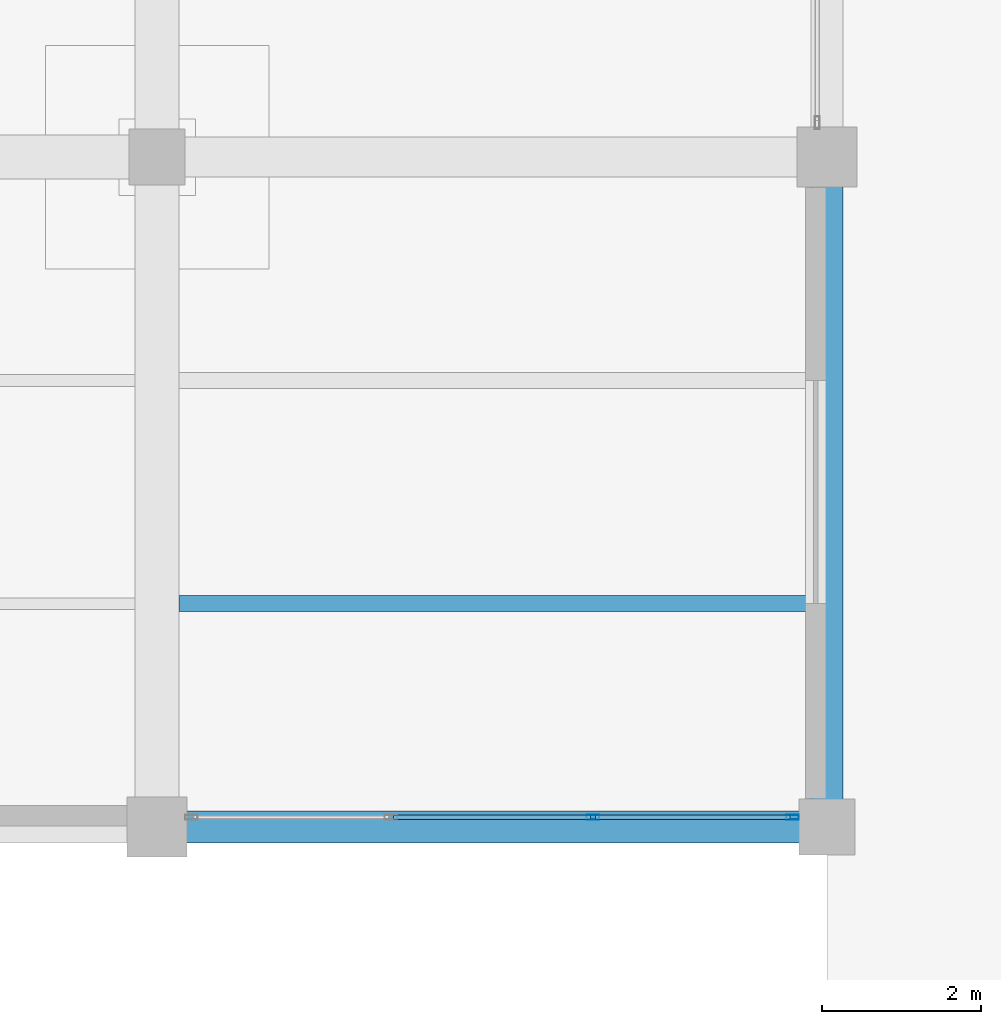
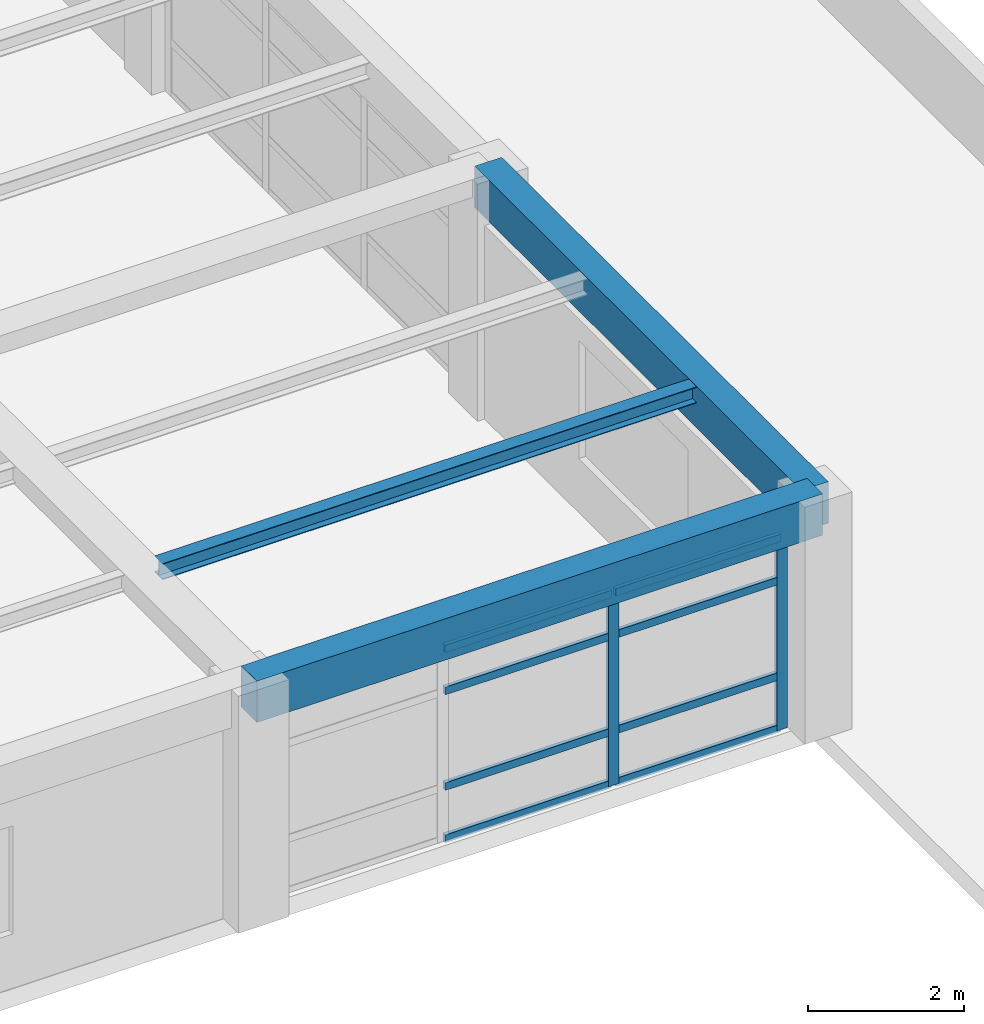
# One storey, part 16 of 35: 10 members, 3 beams, 1 element without a shape of its own.
"""IFC4 building model written with IfcOpenShell, lengths in metres."""

from ifc_helpers import new_model, si_unit, direction, frame, origin, origin_2d, place, context, subcontext, project, spatial, rectangle, hollow_rectangle, i_section, extrude, material, material_profile, profile_set, type_object, element, aggregate, save


model = new_model("IFC4")

# Units and contexts
model_context = context("Model", 3, precision=1e-05, world=origin(), true_north=direction((0.0, 1.0)))
body_context = subcontext(model_context, "Body", "Model", "MODEL_VIEW")
ifc_project = project(units=[si_unit("LENGTHUNIT", "METRE"), si_unit("AREAUNIT", "SQUARE_METRE"), si_unit("VOLUMEUNIT", "CUBIC_METRE"), si_unit("PLANEANGLEUNIT", "RADIAN"), si_unit("MASSUNIT", "GRAM", prefix="KILO")], contexts=[model_context])

# Site, building, storey
site_placement = place(None, origin())
site = spatial("IfcSite", under=ifc_project, at=site_placement, CompositionType="ELEMENT")
building_placement = place(site_placement, origin())
building = spatial("IfcBuilding", under=site, at=building_placement, Name="Almacenes y Pasaje Nevantli", CompositionType="ELEMENT")
storey_placement = place(building_placement, frame((0.0, 0.0, 26.699951171875)))
storey = spatial("IfcBuildingStorey", under=building, at=storey_placement, Name="L06", CompositionType="ELEMENT", Elevation=26.699951171875)

# Beams
ifc_material_1 = material(Name="Concrete C35/45", Category="concrete")
ifc_material_profile_1 = material_profile(ifc_material_1, rectangle(XDim=0.39990234375, YDim=0.64990234375, at=origin_2d()), Name="RC-BM-400x650")
ifc_profile_set_1 = profile_set([ifc_material_profile_1], Name="Concrete C35/45")
beam_type_1 = type_object("IfcBeamType", Name="BM-RC-400x650", PredefinedType="SPANDREL", material=ifc_profile_set_1)
for number, where, z_axis, x_axis, name in (
    (1, (151.199951171875, 67.199951171875, 3.39501953125), (1.0, 0.0, 0.0), (0.0, 1.0, 0.0), "L06 East-West Reinforced Concrete Beam #3578"),
    (2, (159.60009765625, 67.199951171875, 3.39501953125), (0.0, 1.0, 0.0), (-1.0, 0.0, 0.0), "L06 North-South Reinforced Concrete Beam #3625"),
):
    element("IfcBeam", number, at=place(storey_placement, frame(where, z_axis=z_axis, x_axis=x_axis)), inside=storey, type_object=beam_type_1, Name=name, PredefinedType="SPANDREL", context=body_context, shape_type="SweptSolid", body=[
        extrude(rectangle(XDim=0.39990234375, YDim=0.64990234375, at=origin_2d()), origin(), (0.0, 0.0, 1.0), 8.400146484375),
    ])
ifc_material_2 = material(Name="Steel ASTM A992", Category="steel")
ifc_material_profile_2 = material_profile(ifc_material_2, i_section(OverallWidth=0.202880859375, OverallDepth=0.25390625, WebThickness=0.00732421875, FlangeThickness=0.010986328125, at=origin_2d()), Name="IR 254x49.1")
ifc_profile_set_2 = profile_set([ifc_material_profile_2], Name="Steel ASTM A992")
beam_type_2 = type_object("IfcBeamType", Name="BM-STL-IR-254x49p1", PredefinedType="JOIST", material=ifc_profile_set_2)
beam_placement = place(storey_placement, frame((151.47509765625, 70.0, 3.5849609375), z_axis=(1.0, 0.0, 0.0), x_axis=(0.0, 1.0, 0.0)))
element("IfcBeam", 3, at=beam_placement, inside=storey, type_object=beam_type_2, Name="L06 Secondary Steel Floor Joist #1379", PredefinedType="JOIST", context=body_context, shape_type="SweptSolid", body=[
    extrude(i_section(OverallWidth=0.202880859375, OverallDepth=0.25390625, WebThickness=0.00732421875, FlangeThickness=0.010986328125, at=origin_2d()), origin(), (0.0, 0.0, 1.0), 7.9248046875),
])

# Curtain wall, members
ifc_material_3 = material(Name="Thermally Broken Aluminium and Low-E Glass", Category="aluminium")
curtain_wall_type = type_object("IfcCurtainWallType", Name="CW-UNIT-TOWER", PredefinedType="USERDEFINED", material=ifc_material_3)
curtain_wall_placement = place(storey_placement, origin())
curtain_wall = element("IfcCurtainWall", 4, at=curtain_wall_placement, inside=storey, type_object=curtain_wall_type, Name="L06 Tower South Unitized Curtain Wall Bay 19", ObjectType="UNITIZED CURTAIN WALL", PredefinedType="USERDEFINED")
ifc_material_4 = material(Name="Thermally Broken Anodized Aluminium", Category="aluminium")
ifc_material_profile_3 = material_profile(ifc_material_4, hollow_rectangle(XDim=0.06005859375, YDim=0.159912109375, WallThickness=0.00390625, at=origin_2d()), Name="ALU-MUL-60x160")
ifc_profile_set_3 = profile_set([ifc_material_profile_3], Name="Thermally Broken Anodized Aluminium")
member_type_1 = type_object("IfcMemberType", Name="CW-MUL-180", PredefinedType="MULLION", material=ifc_profile_set_3)
member_1_placement = place(storey_placement, frame((156.666748046875, 67.320068359375, 0.0), z_axis=(0.0, 0.0, 1.0), x_axis=(0.0, 1.0, 0.0)))
member_1 = element("IfcMember", 5, at=member_1_placement, type_object=member_type_1, Name="CW-L06-107 mullion 3", PredefinedType="MULLION", context=body_context, shape_type="SweptSolid", body=[
    extrude(hollow_rectangle(XDim=0.06005859375, YDim=0.159912109375, WallThickness=0.00390625, at=origin_2d()), origin(), (0.0, 0.0, 1.0), 3.0400390625),
])
member_2_placement = place(storey_placement, frame((159.169921875, 67.320068359375, 0.0), z_axis=(0.0, 0.0, 1.0), x_axis=(0.0, 1.0, 0.0)))
member_2 = element("IfcMember", 6, at=member_2_placement, type_object=member_type_1, Name="CW-L06-107 mullion 4", PredefinedType="MULLION", context=body_context, shape_type="SweptSolid", body=[
    extrude(hollow_rectangle(XDim=0.06005859375, YDim=0.159912109375, WallThickness=0.00390625, at=origin_2d()), origin(), (0.0, 0.0, 1.0), 3.0400390625),
])
ifc_material_5 = material(Name="Thermally Broken Anodized Aluminium", Category="aluminium")
ifc_material_profile_4 = material_profile(ifc_material_5, hollow_rectangle(XDim=0.06005859375, YDim=0.1201171875, WallThickness=0.00341796875, at=origin_2d()), Name="ALU-TRN-60x120")
ifc_profile_set_4 = profile_set([ifc_material_profile_4], Name="Thermally Broken Anodized Aluminium")
member_type_2 = type_object("IfcMemberType", Name="CW-TRN-130", PredefinedType="USERDEFINED", material=ifc_profile_set_4)
member_3_placement = place(storey_placement, frame((154.163330078125, 67.320068359375, 0.030029296875), z_axis=(1.0, 0.0, 0.0), x_axis=(0.0, 1.0, 0.0)))
member_3 = element("IfcMember", 7, at=member_3_placement, type_object=member_type_2, Name="CW-L06-107 transom 2.1", ObjectType="TRANSOM", PredefinedType="USERDEFINED", context=body_context, shape_type="SweptSolid", body=[
    extrude(hollow_rectangle(XDim=0.06005859375, YDim=0.1201171875, WallThickness=0.00341796875, at=origin_2d()), origin(), (0.0, 0.0, 1.0), 2.473388671875),
])
member_4_placement = place(storey_placement, frame((154.163330078125, 67.320068359375, 0.85009765625), z_axis=(1.0, 0.0, 0.0), x_axis=(0.0, 1.0, 0.0)))
member_4 = element("IfcMember", 8, at=member_4_placement, type_object=member_type_2, Name="CW-L06-107 transom 2.2", ObjectType="TRANSOM", PredefinedType="USERDEFINED", context=body_context, shape_type="SweptSolid", body=[
    extrude(hollow_rectangle(XDim=0.06005859375, YDim=0.1201171875, WallThickness=0.00341796875, at=origin_2d()), origin(), (0.0, 0.0, 1.0), 2.473388671875),
])
member_5_placement = place(storey_placement, frame((154.163330078125, 67.320068359375, 2.35009765625), z_axis=(1.0, 0.0, 0.0), x_axis=(0.0, 1.0, 0.0)))
member_5 = element("IfcMember", 9, at=member_5_placement, type_object=member_type_2, Name="CW-L06-107 transom 2.3", ObjectType="TRANSOM", PredefinedType="USERDEFINED", context=body_context, shape_type="SweptSolid", body=[
    extrude(hollow_rectangle(XDim=0.06005859375, YDim=0.1201171875, WallThickness=0.00341796875, at=origin_2d()), origin(), (0.0, 0.0, 1.0), 2.473388671875),
])
member_6_placement = place(storey_placement, frame((154.163330078125, 67.320068359375, 3.010009765625), z_axis=(1.0, 0.0, 0.0), x_axis=(0.0, 1.0, 0.0)))
member_6 = element("IfcMember", 10, at=member_6_placement, type_object=member_type_2, Name="CW-L06-107 transom 2.4", ObjectType="TRANSOM", PredefinedType="USERDEFINED", context=body_context, shape_type="SweptSolid", body=[
    extrude(hollow_rectangle(XDim=0.06005859375, YDim=0.1201171875, WallThickness=0.00341796875, at=origin_2d()), origin(), (0.0, 0.0, 1.0), 2.473388671875),
])
member_7_placement = place(storey_placement, frame((156.69677734375, 67.320068359375, 0.030029296875), z_axis=(1.0, 0.0, 0.0), x_axis=(0.0, 1.0, 0.0)))
member_7 = element("IfcMember", 11, at=member_7_placement, type_object=member_type_2, Name="CW-L06-107 transom 3.1", ObjectType="TRANSOM", PredefinedType="USERDEFINED", context=body_context, shape_type="SweptSolid", body=[
    extrude(hollow_rectangle(XDim=0.06005859375, YDim=0.1201171875, WallThickness=0.00341796875, at=origin_2d()), origin(), (0.0, 0.0, 1.0), 2.443115234375),
])
member_8_placement = place(storey_placement, frame((156.69677734375, 67.320068359375, 0.85009765625), z_axis=(1.0, 0.0, 0.0), x_axis=(0.0, 1.0, 0.0)))
member_8 = element("IfcMember", 12, at=member_8_placement, type_object=member_type_2, Name="CW-L06-107 transom 3.2", ObjectType="TRANSOM", PredefinedType="USERDEFINED", context=body_context, shape_type="SweptSolid", body=[
    extrude(hollow_rectangle(XDim=0.06005859375, YDim=0.1201171875, WallThickness=0.00341796875, at=origin_2d()), origin(), (0.0, 0.0, 1.0), 2.443115234375),
])
member_9_placement = place(storey_placement, frame((156.69677734375, 67.320068359375, 2.35009765625), z_axis=(1.0, 0.0, 0.0), x_axis=(0.0, 1.0, 0.0)))
member_9 = element("IfcMember", 13, at=member_9_placement, type_object=member_type_2, Name="CW-L06-107 transom 3.3", ObjectType="TRANSOM", PredefinedType="USERDEFINED", context=body_context, shape_type="SweptSolid", body=[
    extrude(hollow_rectangle(XDim=0.06005859375, YDim=0.1201171875, WallThickness=0.00341796875, at=origin_2d()), origin(), (0.0, 0.0, 1.0), 2.443115234375),
])
member_10_placement = place(storey_placement, frame((156.69677734375, 67.320068359375, 3.010009765625), z_axis=(1.0, 0.0, 0.0), x_axis=(0.0, 1.0, 0.0)))
member_10 = element("IfcMember", 14, at=member_10_placement, type_object=member_type_2, Name="CW-L06-107 transom 3.4", ObjectType="TRANSOM", PredefinedType="USERDEFINED", context=body_context, shape_type="SweptSolid", body=[
    extrude(hollow_rectangle(XDim=0.06005859375, YDim=0.1201171875, WallThickness=0.00341796875, at=origin_2d()), origin(), (0.0, 0.0, 1.0), 2.443115234375),
])
aggregate(curtain_wall, [member_1, member_2, member_3, member_4, member_5, member_6, member_7, member_8, member_9, member_10])

save(model, "model.ifc")
